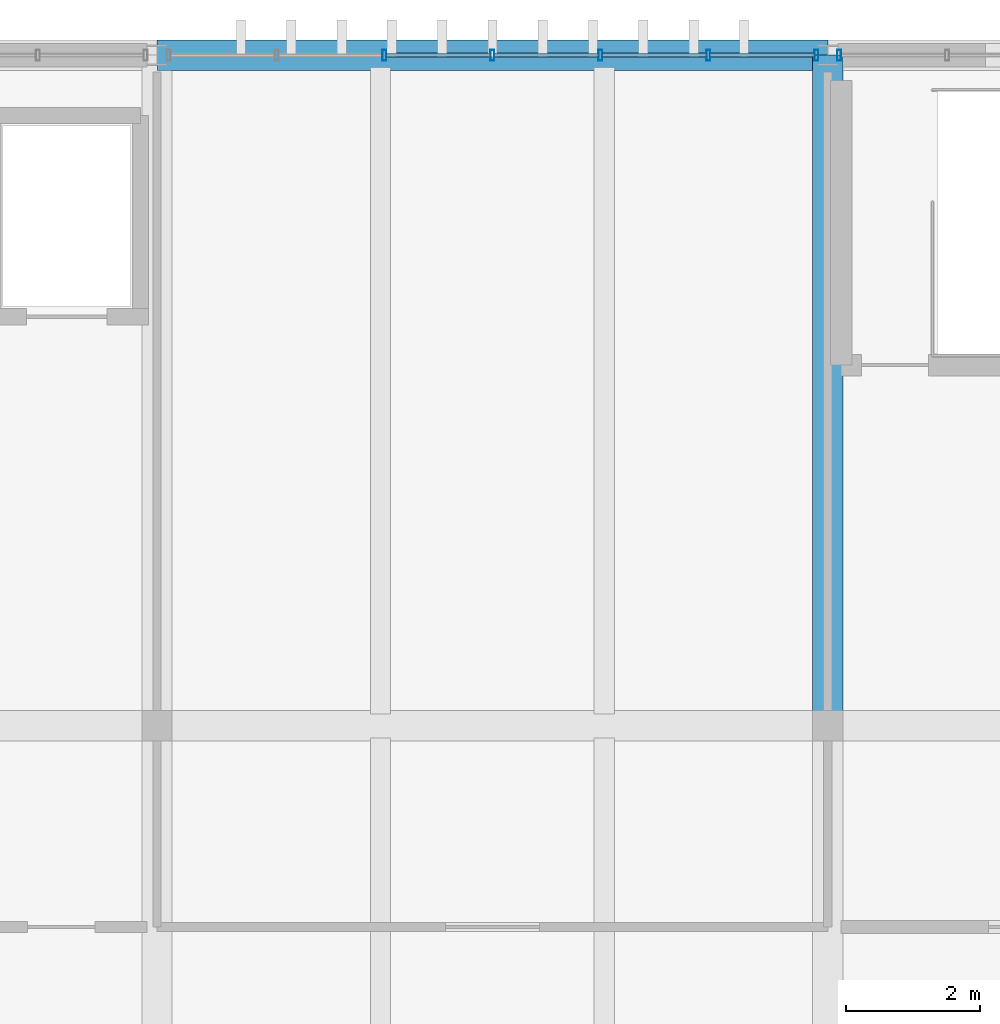
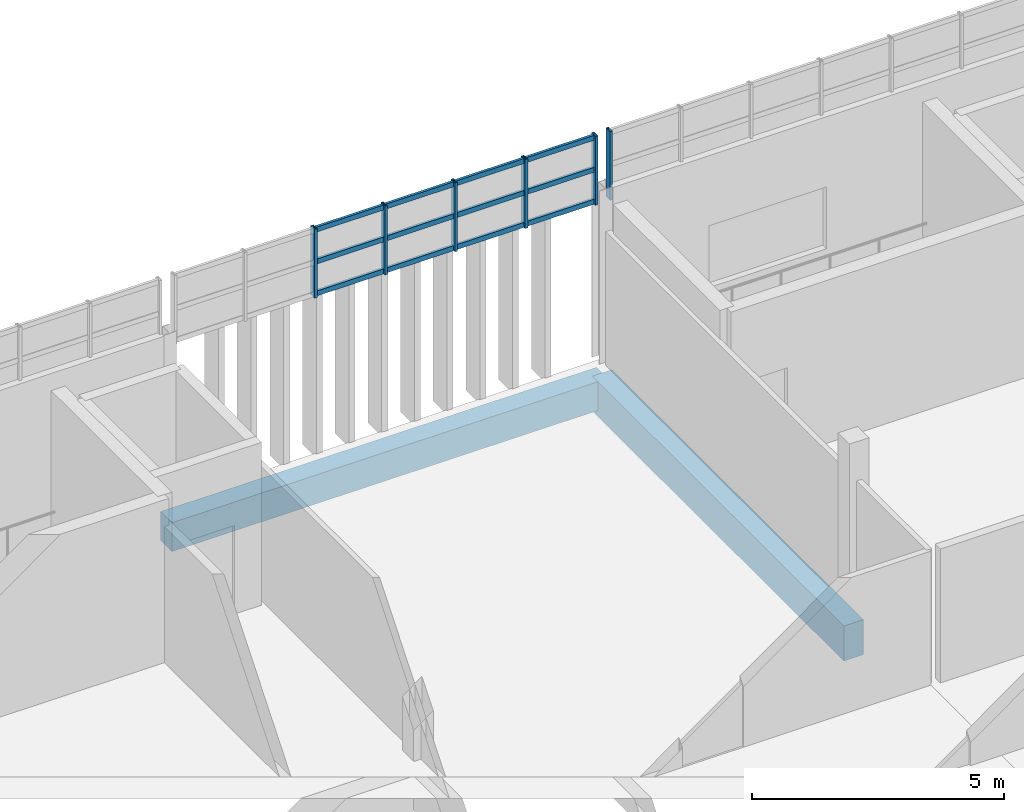
# One storey, part 26 of 36: 18 members, 2 beams, 2 elements without a shape of their own.
"""IFC4 building model written with IfcOpenShell, lengths in metres."""

from ifc_helpers import new_model, si_unit, direction, frame, origin, origin_2d, place, context, subcontext, project, spatial, rectangle, hollow_rectangle, extrude, material, layer, layer_set, material_profile, profile_set, type_object, element, aggregate, save


model = new_model("IFC4")

# Units and contexts
model_context = context("Model", 3, precision=1e-05, world=origin(), true_north=direction((0.0, 1.0)))
body_context = subcontext(model_context, "Body", "Model", "MODEL_VIEW")
ifc_project = project(units=[si_unit("LENGTHUNIT", "METRE"), si_unit("AREAUNIT", "SQUARE_METRE"), si_unit("VOLUMEUNIT", "CUBIC_METRE"), si_unit("PLANEANGLEUNIT", "RADIAN"), si_unit("MASSUNIT", "GRAM", prefix="KILO")], contexts=[model_context])

# Site, building, storey
site_placement = place(None, origin())
site = spatial("IfcSite", under=ifc_project, at=site_placement, CompositionType="ELEMENT")
building_placement = place(site_placement, origin())
building = spatial("IfcBuilding", under=site, at=building_placement, Name="Mersad Railyard Sports Hall", CompositionType="ELEMENT")
storey_placement = place(building_placement, frame((0.0, 0.0, 21.60009765625)))
storey = spatial("IfcBuildingStorey", under=building, at=storey_placement, Name="L05", CompositionType="ELEMENT", Elevation=21.60009765625)

# Curtain wall, members
ifc_material_1 = material(Name="Aluminium 6063-T6", Category="aluminium")
ifc_layer = layer(ifc_material_1, 0.159912109375)
ifc_layer_set = layer_set([ifc_layer], Name="Aluminium 6063-T6")
curtain_wall_type = type_object("IfcCurtainWallType", Name="ARC-CW-CW51", PredefinedType="USERDEFINED", material=ifc_layer_set)
curtain_wall_1_placement = place(storey_placement, origin())
curtain_wall_1 = element("IfcCurtainWall", 1, at=curtain_wall_1_placement, inside=storey, type_object=curtain_wall_type, Name="Curtain wall CW51-0135", ObjectType="CURTAIN WALL", PredefinedType="USERDEFINED")
ifc_material_profile_1 = material_profile(ifc_material_1, hollow_rectangle(XDim=0.06005859375, YDim=0.159912109375, WallThickness=0.00390625, at=origin_2d()), Name="AL MULLION 60x160x4")
ifc_profile_set_1 = profile_set([ifc_material_profile_1], Name="Aluminium 6063-T6")
member_type_1 = type_object("IfcMemberType", Name="ARC-CW-MUL01", PredefinedType="MULLION", material=ifc_profile_set_1)
member_1_placement = place(storey_placement, frame((104.389892578125, 115.0, 3.829833984375), z_axis=(0.0, 0.0, 1.0), x_axis=(1.0, 0.0, 0.0)))
member_1 = element("IfcMember", 2, at=member_1_placement, type_object=member_type_1, Name="CW51 Mullion 3", PredefinedType="MULLION", context=body_context, shape_type="SweptSolid", body=[
    extrude(hollow_rectangle(XDim=0.06005859375, YDim=0.159912109375, WallThickness=0.00390625, at=origin_2d()), origin(), (0.0, 0.0, 1.0), 1.670166015625),
])
member_2_placement = place(storey_placement, frame((106.0, 115.0, 3.829833984375), z_axis=(0.0, 0.0, 1.0), x_axis=(1.0, 0.0, 0.0)))
member_2 = element("IfcMember", 3, at=member_2_placement, type_object=member_type_1, Name="CW51 Mullion 4", PredefinedType="MULLION", context=body_context, shape_type="SweptSolid", body=[
    extrude(hollow_rectangle(XDim=0.06005859375, YDim=0.159912109375, WallThickness=0.00390625, at=origin_2d()), origin(), (0.0, 0.0, 1.0), 1.670166015625),
])
member_3_placement = place(storey_placement, frame((107.610107421875, 115.0, 3.829833984375), z_axis=(0.0, 0.0, 1.0), x_axis=(1.0, 0.0, 0.0)))
member_3 = element("IfcMember", 4, at=member_3_placement, type_object=member_type_1, Name="CW51 Mullion 5", PredefinedType="MULLION", context=body_context, shape_type="SweptSolid", body=[
    extrude(hollow_rectangle(XDim=0.06005859375, YDim=0.159912109375, WallThickness=0.00390625, at=origin_2d()), origin(), (0.0, 0.0, 1.0), 1.670166015625),
])
member_4_placement = place(storey_placement, frame((109.219970703125, 115.0, 3.829833984375), z_axis=(0.0, 0.0, 1.0), x_axis=(1.0, 0.0, 0.0)))
member_4 = element("IfcMember", 5, at=member_4_placement, type_object=member_type_1, Name="CW51 Mullion 6", PredefinedType="MULLION", context=body_context, shape_type="SweptSolid", body=[
    extrude(hollow_rectangle(XDim=0.06005859375, YDim=0.159912109375, WallThickness=0.00390625, at=origin_2d()), origin(), (0.0, 0.0, 1.0), 1.670166015625),
])
member_5_placement = place(storey_placement, frame((110.830078125, 115.0, 3.829833984375), z_axis=(0.0, 0.0, 1.0), x_axis=(1.0, 0.0, 0.0)))
member_5 = element("IfcMember", 6, at=member_5_placement, type_object=member_type_1, Name="CW51 Mullion 7", PredefinedType="MULLION", context=body_context, shape_type="SweptSolid", body=[
    extrude(hollow_rectangle(XDim=0.06005859375, YDim=0.159912109375, WallThickness=0.00390625, at=origin_2d()), origin(), (0.0, 0.0, 1.0), 1.670166015625),
])

# Curtain wall, member
curtain_wall_2_placement = place(storey_placement, origin())
curtain_wall_2 = element("IfcCurtainWall", 7, at=curtain_wall_2_placement, inside=storey, type_object=curtain_wall_type, Name="Curtain wall CW51-0137", ObjectType="CURTAIN WALL", PredefinedType="USERDEFINED")
member_6_placement = place(storey_placement, frame((111.169921875, 115.0, 3.829833984375), z_axis=(0.0, 0.0, 1.0), x_axis=(1.0, 0.0, 0.0)))
member_6 = element("IfcMember", 8, at=member_6_placement, type_object=member_type_1, Name="CW51 Mullion 1", PredefinedType="MULLION", context=body_context, shape_type="SweptSolid", body=[
    extrude(hollow_rectangle(XDim=0.06005859375, YDim=0.159912109375, WallThickness=0.00390625, at=origin_2d()), origin(), (0.0, 0.0, 1.0), 1.670166015625),
])
aggregate(curtain_wall_2, [member_6])

# Member
ifc_material_profile_2 = material_profile(ifc_material_1, hollow_rectangle(XDim=0.06005859375, YDim=0.1201171875, WallThickness=0.00390625, at=origin_2d()), Name="AL TRANSOM 60x120x4")
ifc_profile_set_2 = profile_set([ifc_material_profile_2], Name="Aluminium 6063-T6")
member_type_2 = type_object("IfcMemberType", Name="ARC-CW-TRN01", PredefinedType="USERDEFINED", material=ifc_profile_set_2)
member_7_placement = place(storey_placement, frame((104.409912109375, 115.0, 3.889892578125), z_axis=(1.0, 0.0, 0.0), x_axis=(0.0, 1.0, 0.0)))
member_7 = element("IfcMember", 9, at=member_7_placement, type_object=member_type_2, Name="CW51 Transom 1-3", ObjectType="TRANSOM", PredefinedType="USERDEFINED", context=body_context, shape_type="SweptSolid", body=[
    extrude(hollow_rectangle(XDim=0.06005859375, YDim=0.1201171875, WallThickness=0.00390625, at=origin_2d()), origin(), (0.0, 0.0, 1.0), 1.570068359375),
])

member_8_placement = place(storey_placement, frame((106.02001953125, 115.0, 3.889892578125), z_axis=(1.0, 0.0, 0.0), x_axis=(0.0, 1.0, 0.0)))
member_8 = element("IfcMember", 10, at=member_8_placement, type_object=member_type_2, Name="CW51 Transom 1-4", ObjectType="TRANSOM", PredefinedType="USERDEFINED", context=body_context, shape_type="SweptSolid", body=[
    extrude(hollow_rectangle(XDim=0.06005859375, YDim=0.1201171875, WallThickness=0.00390625, at=origin_2d()), origin(), (0.0, 0.0, 1.0), 1.570068359375),
])

member_9_placement = place(storey_placement, frame((107.6298828125, 115.0, 3.889892578125), z_axis=(1.0, 0.0, 0.0), x_axis=(0.0, 1.0, 0.0)))
member_9 = element("IfcMember", 11, at=member_9_placement, type_object=member_type_2, Name="CW51 Transom 1-5", ObjectType="TRANSOM", PredefinedType="USERDEFINED", context=body_context, shape_type="SweptSolid", body=[
    extrude(hollow_rectangle(XDim=0.06005859375, YDim=0.1201171875, WallThickness=0.00390625, at=origin_2d()), origin(), (0.0, 0.0, 1.0), 1.570068359375),
])

member_10_placement = place(storey_placement, frame((109.239990234375, 115.0, 3.889892578125), z_axis=(1.0, 0.0, 0.0), x_axis=(0.0, 1.0, 0.0)))
member_10 = element("IfcMember", 12, at=member_10_placement, type_object=member_type_2, Name="CW51 Transom 1-6", ObjectType="TRANSOM", PredefinedType="USERDEFINED", context=body_context, shape_type="SweptSolid", body=[
    extrude(hollow_rectangle(XDim=0.06005859375, YDim=0.1201171875, WallThickness=0.00390625, at=origin_2d()), origin(), (0.0, 0.0, 1.0), 1.570068359375),
])

member_11_placement = place(storey_placement, frame((104.409912109375, 115.0, 4.664794921875), z_axis=(1.0, 0.0, 0.0), x_axis=(0.0, 1.0, 0.0)))
member_11 = element("IfcMember", 13, at=member_11_placement, type_object=member_type_2, Name="CW51 Transom 2-3", ObjectType="TRANSOM", PredefinedType="USERDEFINED", context=body_context, shape_type="SweptSolid", body=[
    extrude(hollow_rectangle(XDim=0.06005859375, YDim=0.1201171875, WallThickness=0.00390625, at=origin_2d()), origin(), (0.0, 0.0, 1.0), 1.570068359375),
])

member_12_placement = place(storey_placement, frame((106.02001953125, 115.0, 4.664794921875), z_axis=(1.0, 0.0, 0.0), x_axis=(0.0, 1.0, 0.0)))
member_12 = element("IfcMember", 14, at=member_12_placement, type_object=member_type_2, Name="CW51 Transom 2-4", ObjectType="TRANSOM", PredefinedType="USERDEFINED", context=body_context, shape_type="SweptSolid", body=[
    extrude(hollow_rectangle(XDim=0.06005859375, YDim=0.1201171875, WallThickness=0.00390625, at=origin_2d()), origin(), (0.0, 0.0, 1.0), 1.570068359375),
])

member_13_placement = place(storey_placement, frame((107.6298828125, 115.0, 4.664794921875), z_axis=(1.0, 0.0, 0.0), x_axis=(0.0, 1.0, 0.0)))
member_13 = element("IfcMember", 15, at=member_13_placement, type_object=member_type_2, Name="CW51 Transom 2-5", ObjectType="TRANSOM", PredefinedType="USERDEFINED", context=body_context, shape_type="SweptSolid", body=[
    extrude(hollow_rectangle(XDim=0.06005859375, YDim=0.1201171875, WallThickness=0.00390625, at=origin_2d()), origin(), (0.0, 0.0, 1.0), 1.570068359375),
])

member_14_placement = place(storey_placement, frame((109.239990234375, 115.0, 4.664794921875), z_axis=(1.0, 0.0, 0.0), x_axis=(0.0, 1.0, 0.0)))
member_14 = element("IfcMember", 16, at=member_14_placement, type_object=member_type_2, Name="CW51 Transom 2-6", ObjectType="TRANSOM", PredefinedType="USERDEFINED", context=body_context, shape_type="SweptSolid", body=[
    extrude(hollow_rectangle(XDim=0.06005859375, YDim=0.1201171875, WallThickness=0.00390625, at=origin_2d()), origin(), (0.0, 0.0, 1.0), 1.570068359375),
])

member_15_placement = place(storey_placement, frame((104.409912109375, 115.0, 5.43994140625), z_axis=(1.0, 0.0, 0.0), x_axis=(0.0, 1.0, 0.0)))
member_15 = element("IfcMember", 17, at=member_15_placement, type_object=member_type_2, Name="CW51 Transom 3-3", ObjectType="TRANSOM", PredefinedType="USERDEFINED", context=body_context, shape_type="SweptSolid", body=[
    extrude(hollow_rectangle(XDim=0.06005859375, YDim=0.1201171875, WallThickness=0.00390625, at=origin_2d()), origin(), (0.0, 0.0, 1.0), 1.570068359375),
])

member_16_placement = place(storey_placement, frame((106.02001953125, 115.0, 5.43994140625), z_axis=(1.0, 0.0, 0.0), x_axis=(0.0, 1.0, 0.0)))
member_16 = element("IfcMember", 18, at=member_16_placement, type_object=member_type_2, Name="CW51 Transom 3-4", ObjectType="TRANSOM", PredefinedType="USERDEFINED", context=body_context, shape_type="SweptSolid", body=[
    extrude(hollow_rectangle(XDim=0.06005859375, YDim=0.1201171875, WallThickness=0.00390625, at=origin_2d()), origin(), (0.0, 0.0, 1.0), 1.570068359375),
])

member_17_placement = place(storey_placement, frame((107.6298828125, 115.0, 5.43994140625), z_axis=(1.0, 0.0, 0.0), x_axis=(0.0, 1.0, 0.0)))
member_17 = element("IfcMember", 19, at=member_17_placement, type_object=member_type_2, Name="CW51 Transom 3-5", ObjectType="TRANSOM", PredefinedType="USERDEFINED", context=body_context, shape_type="SweptSolid", body=[
    extrude(hollow_rectangle(XDim=0.06005859375, YDim=0.1201171875, WallThickness=0.00390625, at=origin_2d()), origin(), (0.0, 0.0, 1.0), 1.570068359375),
])

member_18_placement = place(storey_placement, frame((109.239990234375, 115.0, 5.43994140625), z_axis=(1.0, 0.0, 0.0), x_axis=(0.0, 1.0, 0.0)))
member_18 = element("IfcMember", 20, at=member_18_placement, type_object=member_type_2, Name="CW51 Transom 3-6", ObjectType="TRANSOM", PredefinedType="USERDEFINED", context=body_context, shape_type="SweptSolid", body=[
    extrude(hollow_rectangle(XDim=0.06005859375, YDim=0.1201171875, WallThickness=0.00390625, at=origin_2d()), origin(), (0.0, 0.0, 1.0), 1.570068359375),
])

aggregate(curtain_wall_1, [member_1, member_2, member_3, member_4, member_5, member_7, member_8, member_9, member_10, member_11, member_12, member_13, member_14, member_15, member_16, member_17, member_18])

# Beams
ifc_material_2 = material(Name="Concrete C40/50", Category="concrete")
ifc_material_profile_3 = material_profile(ifc_material_2, rectangle(XDim=0.449951171875, YDim=0.85009765625, at=origin_2d()), Name="RC 450x850")
ifc_profile_set_3 = profile_set([ifc_material_profile_3], Name="Concrete C40/50")
beam_type_1 = type_object("IfcBeamType", Name="STR-BM-B02", PredefinedType="BEAM", material=ifc_profile_set_3)
beam_1_placement = place(storey_placement, frame((111.0, 105.0, -0.775146484375), z_axis=(0.0, 1.0, 0.0), x_axis=(-1.0, 0.0, 0.0)))
element("IfcBeam", 21, at=beam_1_placement, inside=storey, type_object=beam_type_1, Name="Beam B02-1444", PredefinedType="BEAM", context=body_context, shape_type="SweptSolid", body=[
    extrude(rectangle(XDim=0.449951171875, YDim=0.85009765625, at=origin_2d()), origin(), (0.0, 0.0, 1.0), 10.0),
])
ifc_material_3 = material(Name="Architectural concrete C40/50", Category="concrete")
ifc_material_profile_4 = material_profile(ifc_material_3, rectangle(XDim=0.449951171875, YDim=0.699951171875, at=origin_2d()), Name="RC 450x700")
ifc_profile_set_4 = profile_set([ifc_material_profile_4], Name="Architectural concrete C40/50")
beam_type_2 = type_object("IfcBeamType", Name="STR-BM-SP01", PredefinedType="SPANDREL", material=ifc_profile_set_4)
beam_2_placement = place(storey_placement, frame((101.0, 115.0, -0.7001953125), z_axis=(1.0, 0.0, 0.0), x_axis=(0.0, 1.0, 0.0)))
element("IfcBeam", 22, at=beam_2_placement, inside=storey, type_object=beam_type_2, Name="Beam SP01-1425", PredefinedType="SPANDREL", context=body_context, shape_type="SweptSolid", body=[
    extrude(rectangle(XDim=0.449951171875, YDim=0.699951171875, at=origin_2d()), origin(), (0.0, 0.0, 1.0), 10.0),
])

save(model, "model.ifc")
